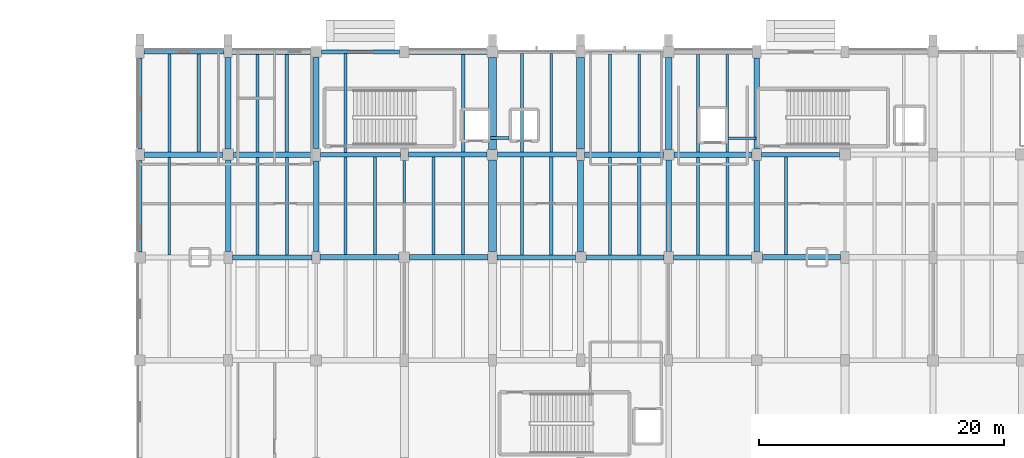
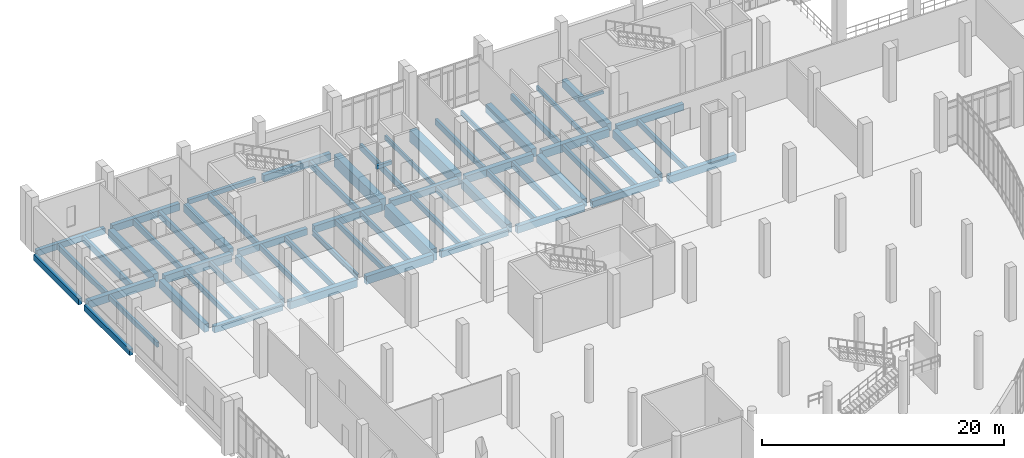
# One storey, part 42 of 110: 62 beams.
"""IFC4 building model written with IfcOpenShell, lengths in metres."""

from ifc_helpers import new_model, si_unit, direction, frame, origin, origin_2d, place, context, subcontext, project, spatial, rectangle, i_section, extrude, material, material_profile, profile_set, type_object, element, save


model = new_model("IFC4")

# Units and contexts
model_context = context("Model", 3, precision=1e-05, world=origin(), true_north=direction((0.0, 1.0)))
body_context = subcontext(model_context, "Body", "Model", "MODEL_VIEW")
ifc_project = project(units=[si_unit("LENGTHUNIT", "METRE"), si_unit("AREAUNIT", "SQUARE_METRE"), si_unit("VOLUMEUNIT", "CUBIC_METRE"), si_unit("PLANEANGLEUNIT", "RADIAN"), si_unit("MASSUNIT", "GRAM", prefix="KILO")], contexts=[model_context])

# Site, building, storey
site_placement = place(None, origin())
site = spatial("IfcSite", under=ifc_project, at=site_placement, CompositionType="ELEMENT")
building_placement = place(site_placement, origin())
building = spatial("IfcBuilding", under=site, at=building_placement, Name="Kalluvel Institute of Natural Sciences", CompositionType="ELEMENT")
storey_placement = place(building_placement, origin())
storey = spatial("IfcBuildingStorey", under=building, at=storey_placement, Name="L00", CompositionType="ELEMENT", Elevation=0.0)

# Beams
ifc_material_1 = material(Name="Steel E350 Grade 350", Category="steel")
ifc_material_profile_1 = material_profile(ifc_material_1, i_section(OverallWidth=0.18994140625, OverallDepth=0.550048828125, WebThickness=0.01123046875, FlangeThickness=0.019287109375, FilletRadius=0.01806640625, at=origin_2d()), Name="ISMB 550")
ifc_profile_set_1 = profile_set([ifc_material_profile_1], Name="Steel E350 Grade 350")
beam_type_1 = type_object("IfcBeamType", Name="BM-ISMB550", PredefinedType="BEAM", material=ifc_profile_set_1)
beam_1_placement = place(storey_placement, frame((35.60009765625, 111.625, -0.594970703125), z_axis=(0.0, 1.0, 0.0), x_axis=(-1.0, 0.0, 0.0)))
element("IfcBeam", 1, at=beam_1_placement, inside=storey, type_object=beam_type_1, Name="L00 girder GIR-L00-NS-X356-Y1112", PredefinedType="BEAM", context=body_context, shape_type="SweptSolid", body=[
    extrude(i_section(OverallWidth=0.18994140625, OverallDepth=0.550048828125, WebThickness=0.01123046875, FlangeThickness=0.019287109375, FilletRadius=0.01806640625, at=origin_2d()), origin(), (0.0, 0.0, 1.0), 7.5),
])
ifc_material_2 = material(Name="Concrete M40", Category="concrete")
ifc_material_profile_2 = material_profile(ifc_material_2, rectangle(XDim=0.3798828125, YDim=0.639892578125, at=origin_2d()), Name="RCB 380x640")
ifc_profile_set_2 = profile_set([ifc_material_profile_2], Name="Concrete M40")
beam_type_2 = type_object("IfcBeamType", Name="BM-RC380x640", PredefinedType="BEAM", material=ifc_profile_set_2)
beam_2_placement = place(storey_placement, frame((43.175048828125, 111.199951171875, -0.639892578125), z_axis=(1.0, 0.0, 0.0), x_axis=(0.0, 1.0, 0.0)))
element("IfcBeam", 2, at=beam_2_placement, inside=storey, type_object=beam_type_2, Name="L00 girder GIR-L00-EW-X428-Y1112", PredefinedType="BEAM", context=body_context, shape_type="SweptSolid", body=[
    extrude(rectangle(XDim=0.3798828125, YDim=0.639892578125, at=origin_2d()), origin(), (0.0, 0.0, 1.0), 6.39990234375),
])
beam_3_placement = place(storey_placement, frame((28.75, 119.60009765625, -0.639892578125), z_axis=(1.0, 0.0, 0.0), x_axis=(0.0, 1.0, 0.0)))
element("IfcBeam", 3, at=beam_3_placement, inside=storey, type_object=beam_type_2, Name="L00 girder GIR-L00-EW-X284-Y1196", PredefinedType="BEAM", context=body_context, shape_type="SweptSolid", body=[
    extrude(rectangle(XDim=0.3798828125, YDim=0.639892578125, at=origin_2d()), origin(), (0.0, 0.0, 1.0), 6.52490234375),
])
beam_4_placement = place(storey_placement, frame((64.77490234375, 119.60009765625, -0.639892578125), z_axis=(1.0, 0.0, 0.0), x_axis=(0.0, 1.0, 0.0)))
element("IfcBeam", 4, at=beam_4_placement, inside=storey, type_object=beam_type_2, Name="L00 girder GIR-L00-EW-X644-Y1196", PredefinedType="BEAM", context=body_context, shape_type="SweptSolid", body=[
    extrude(rectangle(XDim=0.3798828125, YDim=0.639892578125, at=origin_2d()), origin(), (0.0, 0.0, 1.0), 6.375),
])
ifc_material_profile_3 = material_profile(ifc_material_2, rectangle(XDim=0.39990234375, YDim=0.64990234375, at=origin_2d()), Name="RCB 400x650")
ifc_profile_set_3 = profile_set([ifc_material_profile_3], Name="Concrete M40")
beam_type_3 = type_object("IfcBeamType", Name="BM-RC400x650", PredefinedType="BEAM", material=ifc_profile_set_3)
beam_5_placement = place(storey_placement, frame((21.550048828125, 111.199951171875, -0.64501953125), z_axis=(1.0, 0.0, 0.0), x_axis=(0.0, 1.0, 0.0)))
element("IfcBeam", 5, at=beam_5_placement, inside=storey, type_object=beam_type_3, Name="L00 girder GIR-L00-EW-X212-Y1112", PredefinedType="BEAM", context=body_context, shape_type="SweptSolid", body=[
    extrude(rectangle(XDim=0.39990234375, YDim=0.64990234375, at=origin_2d()), origin(), (0.0, 0.0, 1.0), 6.52490234375),
])
beam_6_placement = place(storey_placement, frame((57.574951171875, 111.199951171875, -0.64501953125), z_axis=(1.0, 0.0, 0.0), x_axis=(0.0, 1.0, 0.0)))
element("IfcBeam", 6, at=beam_6_placement, inside=storey, type_object=beam_type_3, Name="L00 girder GIR-L00-EW-X572-Y1112", PredefinedType="BEAM", context=body_context, shape_type="SweptSolid", body=[
    extrude(rectangle(XDim=0.39990234375, YDim=0.64990234375, at=origin_2d()), origin(), (0.0, 0.0, 1.0), 6.375),
])
beam_7_placement = place(storey_placement, frame((43.22509765625, 119.60009765625, -0.64501953125), z_axis=(1.0, 0.0, 0.0), x_axis=(0.0, 1.0, 0.0)))
element("IfcBeam", 7, at=beam_7_placement, inside=storey, type_object=beam_type_3, Name="L00 girder GIR-L00-EW-X428-Y1196", PredefinedType="BEAM", context=body_context, shape_type="SweptSolid", body=[
    extrude(rectangle(XDim=0.39990234375, YDim=0.64990234375, at=origin_2d()), origin(), (0.0, 0.0, 1.0), 6.449951171875),
])
ifc_material_profile_4 = material_profile(ifc_material_2, rectangle(XDim=0.419921875, YDim=0.719970703125, at=origin_2d()), Name="RCB 420x720")
ifc_profile_set_4 = profile_set([ifc_material_profile_4], Name="Concrete M40")
beam_type_4 = type_object("IfcBeamType", Name="BM-RC420x720", PredefinedType="BEAM", material=ifc_profile_set_4)
beam_8_placement = place(storey_placement, frame((50.425048828125, 111.199951171875, -0.679931640625), z_axis=(1.0, 0.0, 0.0), x_axis=(0.0, 1.0, 0.0)))
element("IfcBeam", 8, at=beam_8_placement, inside=storey, type_object=beam_type_4, Name="L00 girder GIR-L00-EW-X500-Y1112", PredefinedType="BEAM", context=body_context, shape_type="SweptSolid", body=[
    extrude(rectangle(XDim=0.419921875, YDim=0.719970703125, at=origin_2d()), origin(), (0.0, 0.0, 1.0), 6.39990234375),
])
beam_9_placement = place(storey_placement, frame((35.925048828125, 119.60009765625, -0.679931640625), z_axis=(1.0, 0.0, 0.0), x_axis=(0.0, 1.0, 0.0)))
element("IfcBeam", 9, at=beam_9_placement, inside=storey, type_object=beam_type_4, Name="L00 girder GIR-L00-EW-X356-Y1196", PredefinedType="BEAM", context=body_context, shape_type="SweptSolid", body=[
    extrude(rectangle(XDim=0.419921875, YDim=0.719970703125, at=origin_2d()), origin(), (0.0, 0.0, 1.0), 6.449951171875),
])
ifc_material_profile_5 = material_profile(ifc_material_2, rectangle(XDim=0.449951171875, YDim=0.75, at=origin_2d()), Name="RCB 450x750")
ifc_profile_set_5 = profile_set([ifc_material_profile_5], Name="Concrete M40")
beam_type_5 = type_object("IfcBeamType", Name="BM-RC450x750", PredefinedType="BEAM", material=ifc_profile_set_5)
beam_10_placement = place(storey_placement, frame((28.72509765625, 111.199951171875, -0.695068359375), z_axis=(1.0, 0.0, 0.0), x_axis=(0.0, 1.0, 0.0)))
element("IfcBeam", 10, at=beam_10_placement, inside=storey, type_object=beam_type_5, Name="L00 girder GIR-L00-EW-X284-Y1112", PredefinedType="BEAM", context=body_context, shape_type="SweptSolid", body=[
    extrude(rectangle(XDim=0.449951171875, YDim=0.75, at=origin_2d()), origin(), (0.0, 0.0, 1.0), 6.449951171875),
])
beam_11_placement = place(storey_placement, frame((64.85009765625, 111.199951171875, -0.695068359375), z_axis=(1.0, 0.0, 0.0), x_axis=(0.0, 1.0, 0.0)))
element("IfcBeam", 11, at=beam_11_placement, inside=storey, type_object=beam_type_5, Name="L00 girder GIR-L00-EW-X644-Y1112", PredefinedType="BEAM", context=body_context, shape_type="SweptSolid", body=[
    extrude(rectangle(XDim=0.449951171875, YDim=0.75, at=origin_2d()), origin(), (0.0, 0.0, 1.0), 6.39990234375),
])
beam_12_placement = place(storey_placement, frame((14.375, 119.60009765625, -0.695068359375), z_axis=(1.0, 0.0, 0.0), x_axis=(0.0, 1.0, 0.0)))
element("IfcBeam", 12, at=beam_12_placement, inside=storey, type_object=beam_type_5, Name="L00 girder GIR-L00-EW-X140-Y1196", PredefinedType="BEAM", context=body_context, shape_type="SweptSolid", body=[
    extrude(rectangle(XDim=0.449951171875, YDim=0.75, at=origin_2d()), origin(), (0.0, 0.0, 1.0), 6.375),
])
beam_13_placement = place(storey_placement, frame((50.324951171875, 119.60009765625, -0.695068359375), z_axis=(1.0, 0.0, 0.0), x_axis=(0.0, 1.0, 0.0)))
element("IfcBeam", 13, at=beam_13_placement, inside=storey, type_object=beam_type_5, Name="L00 girder GIR-L00-EW-X500-Y1196", PredefinedType="BEAM", context=body_context, shape_type="SweptSolid", body=[
    extrude(rectangle(XDim=0.449951171875, YDim=0.75, at=origin_2d()), origin(), (0.0, 0.0, 1.0), 6.449951171875),
])
ifc_material_profile_6 = material_profile(ifc_material_2, rectangle(XDim=0.449951171875, YDim=0.800048828125, at=origin_2d()), Name="RCB 450x800")
ifc_profile_set_6 = profile_set([ifc_material_profile_6], Name="Concrete M40")
beam_type_6 = type_object("IfcBeamType", Name="BM-RC450x800", PredefinedType="BEAM", material=ifc_profile_set_6)
for number, where, z_axis, x_axis, name in (
    (14, (36.02490234375, 111.199951171875, -0.719970703125), (1.0, 0.0, 0.0), (0.0, 1.0, 0.0), "L00 girder GIR-L00-EW-X356-Y1112"),
    (15, (21.64990234375, 119.60009765625, -0.719970703125), (1.0, 0.0, 0.0), (0.0, 1.0, 0.0), "L00 girder GIR-L00-EW-X212-Y1196"),
):
    element("IfcBeam", number, at=place(storey_placement, frame(where, z_axis=z_axis, x_axis=x_axis)), inside=storey, type_object=beam_type_6, Name=name, PredefinedType="BEAM", context=body_context, shape_type="SweptSolid", body=[
        extrude(rectangle(XDim=0.449951171875, YDim=0.800048828125, at=origin_2d()), origin(), (0.0, 0.0, 1.0), 6.400146484375),
    ])
beam_14_placement = place(storey_placement, frame((57.625, 119.60009765625, -0.719970703125), z_axis=(1.0, 0.0, 0.0), x_axis=(0.0, 1.0, 0.0)))
element("IfcBeam", 16, at=beam_14_placement, inside=storey, type_object=beam_type_6, Name="L00 girder GIR-L00-EW-X572-Y1196", PredefinedType="BEAM", context=body_context, shape_type="SweptSolid", body=[
    extrude(rectangle(XDim=0.449951171875, YDim=0.800048828125, at=origin_2d()), origin(), (0.0, 0.0, 1.0), 6.39990234375),
])
beam_15_placement = place(storey_placement, frame((21.199951171875, 111.699951171875, -0.719970703125), z_axis=(0.0, 1.0, 0.0), x_axis=(-1.0, 0.0, 0.0)))
element("IfcBeam", 17, at=beam_15_placement, inside=storey, type_object=beam_type_6, Name="L00 girder GIR-L00-NS-X212-Y1112", PredefinedType="BEAM", context=body_context, shape_type="SweptSolid", body=[
    extrude(rectangle(XDim=0.449951171875, YDim=0.800048828125, at=origin_2d()), origin(), (0.0, 0.0, 1.0), 7.449951171875),
])
beam_16_placement = place(storey_placement, frame((28.39990234375, 111.675048828125, -0.719970703125), z_axis=(0.0, 1.0, 0.0), x_axis=(-1.0, 0.0, 0.0)))
element("IfcBeam", 18, at=beam_16_placement, inside=storey, type_object=beam_type_6, Name="L00 girder GIR-L00-NS-X284-Y1112", PredefinedType="BEAM", context=body_context, shape_type="SweptSolid", body=[
    extrude(rectangle(XDim=0.449951171875, YDim=0.800048828125, at=origin_2d()), origin(), (0.0, 0.0, 1.0), 7.425048828125),
])
beam_17_placement = place(storey_placement, frame((28.39990234375, 120.10009765625, -0.719970703125), z_axis=(0.0, 1.0, 0.0), x_axis=(-1.0, 0.0, 0.0)))
element("IfcBeam", 19, at=beam_17_placement, inside=storey, type_object=beam_type_6, Name="L00 girder GIR-L00-NS-X284-Y1196", PredefinedType="BEAM", context=body_context, shape_type="SweptSolid", body=[
    extrude(rectangle(XDim=0.449951171875, YDim=0.800048828125, at=origin_2d()), origin(), (0.0, 0.0, 1.0), 7.474853515625),
])
beam_18_placement = place(storey_placement, frame((57.199951171875, 111.675048828125, -0.719970703125), z_axis=(0.0, 1.0, 0.0), x_axis=(-1.0, 0.0, 0.0)))
element("IfcBeam", 20, at=beam_18_placement, inside=storey, type_object=beam_type_6, Name="L00 girder GIR-L00-NS-X572-Y1112", PredefinedType="BEAM", context=body_context, shape_type="SweptSolid", body=[
    extrude(rectangle(XDim=0.449951171875, YDim=0.800048828125, at=origin_2d()), origin(), (0.0, 0.0, 1.0), 7.5),
])
beam_19_placement = place(storey_placement, frame((64.39990234375, 111.64990234375, -0.719970703125), z_axis=(0.0, 1.0, 0.0), x_axis=(-1.0, 0.0, 0.0)))
element("IfcBeam", 21, at=beam_19_placement, inside=storey, type_object=beam_type_6, Name="L00 girder GIR-L00-NS-X644-Y1112", PredefinedType="BEAM", context=body_context, shape_type="SweptSolid", body=[
    extrude(rectangle(XDim=0.449951171875, YDim=0.800048828125, at=origin_2d()), origin(), (0.0, 0.0, 1.0), 7.47509765625),
])
beam_20_placement = place(storey_placement, frame((64.39990234375, 120.074951171875, -0.719970703125), z_axis=(0.0, 1.0, 0.0), x_axis=(-1.0, 0.0, 0.0)))
element("IfcBeam", 22, at=beam_20_placement, inside=storey, type_object=beam_type_6, Name="L00 girder GIR-L00-NS-X644-Y1196", PredefinedType="BEAM", context=body_context, shape_type="SweptSolid", body=[
    extrude(rectangle(XDim=0.449951171875, YDim=0.800048828125, at=origin_2d()), origin(), (0.0, 0.0, 1.0), 7.425048828125),
])
ifc_material_3 = material(Name="Concrete M50", Category="concrete")
ifc_material_profile_7 = material_profile(ifc_material_3, rectangle(XDim=0.5, YDim=0.85009765625, at=origin_2d()), Name="RCB 500x850")
ifc_profile_set_7 = profile_set([ifc_material_profile_7], Name="Concrete M50")
beam_type_7 = type_object("IfcBeamType", Name="BM-RC500x850", PredefinedType="BEAM", material=ifc_profile_set_7)
beam_21_placement = place(storey_placement, frame((21.199951171875, 120.050048828125, -0.7451171875), z_axis=(0.0, 1.0, 0.0), x_axis=(-1.0, 0.0, 0.0)))
element("IfcBeam", 23, at=beam_21_placement, inside=storey, type_object=beam_type_7, Name="L00 girder GIR-L00-NS-X212-Y1196", PredefinedType="BEAM", context=body_context, shape_type="SweptSolid", body=[
    extrude(rectangle(XDim=0.5, YDim=0.85009765625, at=origin_2d()), origin(), (0.0, 0.0, 1.0), 7.474853515625),
])
beam_22_placement = place(storey_placement, frame((50.0, 111.625, -0.7451171875), z_axis=(0.0, 1.0, 0.0), x_axis=(-1.0, 0.0, 0.0)))
element("IfcBeam", 24, at=beam_22_placement, inside=storey, type_object=beam_type_7, Name="L00 girder GIR-L00-NS-X500-Y1112", PredefinedType="BEAM", context=body_context, shape_type="SweptSolid", body=[
    extrude(rectangle(XDim=0.5, YDim=0.85009765625, at=origin_2d()), origin(), (0.0, 0.0, 1.0), 7.5),
])
beam_23_placement = place(storey_placement, frame((57.199951171875, 120.02490234375, -0.7451171875), z_axis=(0.0, 1.0, 0.0), x_axis=(-1.0, 0.0, 0.0)))
element("IfcBeam", 25, at=beam_23_placement, inside=storey, type_object=beam_type_7, Name="L00 girder GIR-L00-NS-X572-Y1196", PredefinedType="BEAM", context=body_context, shape_type="SweptSolid", body=[
    extrude(rectangle(XDim=0.5, YDim=0.85009765625, at=origin_2d()), origin(), (0.0, 0.0, 1.0), 7.525146484375),
])
ifc_material_profile_8 = material_profile(ifc_material_3, rectangle(XDim=0.64990234375, YDim=1.199951171875, at=origin_2d()), Name="RCB 650x1200")
ifc_profile_set_8 = profile_set([ifc_material_profile_8], Name="Concrete M50")
beam_type_8 = type_object("IfcBeamType", Name="BM-RC650x1200", PredefinedType="BEAM", material=ifc_profile_set_8)
beam_24_placement = place(storey_placement, frame((42.800048828125, 111.675048828125, -0.919921875), z_axis=(0.0, 1.0, 0.0), x_axis=(-1.0, 0.0, 0.0)))
element("IfcBeam", 26, at=beam_24_placement, inside=storey, type_object=beam_type_8, Name="L00 girder GIR-L00-NS-X428-Y1112", PredefinedType="BEAM", context=body_context, shape_type="SweptSolid", body=[
    extrude(rectangle(XDim=0.64990234375, YDim=1.199951171875, at=origin_2d()), origin(), (0.0, 0.0, 1.0), 7.5),
])
beam_25_placement = place(storey_placement, frame((42.800048828125, 120.02490234375, -0.919921875), z_axis=(0.0, 1.0, 0.0), x_axis=(-1.0, 0.0, 0.0)))
element("IfcBeam", 27, at=beam_25_placement, inside=storey, type_object=beam_type_8, Name="L00 girder GIR-L00-NS-X428-Y1196", PredefinedType="BEAM", context=body_context, shape_type="SweptSolid", body=[
    extrude(rectangle(XDim=0.64990234375, YDim=1.199951171875, at=origin_2d()), origin(), (0.0, 0.0, 1.0), 7.525146484375),
])
beam_26_placement = place(storey_placement, frame((50.0, 120.074951171875, -0.919921875), z_axis=(0.0, 1.0, 0.0), x_axis=(-1.0, 0.0, 0.0)))
element("IfcBeam", 28, at=beam_26_placement, inside=storey, type_object=beam_type_8, Name="L00 girder GIR-L00-NS-X500-Y1196", PredefinedType="BEAM", context=body_context, shape_type="SweptSolid", body=[
    extrude(rectangle(XDim=0.64990234375, YDim=1.199951171875, at=origin_2d()), origin(), (0.0, 0.0, 1.0), 7.449951171875),
])
ifc_material_4 = material(Name="Sadarahalli Granite Precast Concrete M45", Category="masonry")
ifc_material_profile_9 = material_profile(ifc_material_4, rectangle(XDim=0.199951171875, YDim=0.300048828125, at=origin_2d()), Name="LIN 200x300")
ifc_profile_set_9 = profile_set([ifc_material_profile_9], Name="Sadarahalli Granite Precast Concrete M45")
beam_type_9 = type_object("IfcBeamType", Name="LN-200x300-INT", PredefinedType="LINTEL", material=ifc_profile_set_9)
beam_27_placement = place(storey_placement, frame((62.0400390625, 120.949951171875, 2.35009765625), z_axis=(1.0, 0.0, 0.0), x_axis=(0.0, 1.0, 0.0)))
element("IfcBeam", 29, at=beam_27_placement, inside=storey, type_object=beam_type_9, Name="L00 core coupling lintel B", PredefinedType="LINTEL", context=body_context, shape_type="SweptSolid", body=[
    extrude(rectangle(XDim=0.199951171875, YDim=0.300048828125, at=origin_2d()), origin(), (0.0, 0.0, 1.0), 2.2900390625),
])
ifc_material_profile_10 = material_profile(ifc_material_4, rectangle(XDim=0.25, YDim=0.35009765625, at=origin_2d()), Name="LIN 250x350")
ifc_profile_set_10 = profile_set([ifc_material_profile_10], Name="Sadarahalli Granite Precast Concrete M45")
beam_type_10 = type_object("IfcBeamType", Name="LN-250x350-EXT", PredefinedType="LINTEL", material=ifc_profile_set_10)
beam_28_placement = place(storey_placement, frame((42.639892578125, 120.949951171875, 2.35009765625), z_axis=(1.0, 0.0, 0.0), x_axis=(0.0, 1.0, 0.0)))
element("IfcBeam", 30, at=beam_28_placement, inside=storey, type_object=beam_type_10, Name="L00 lift-core coupling lintel A", PredefinedType="LINTEL", context=body_context, shape_type="SweptSolid", body=[
    extrude(rectangle(XDim=0.25, YDim=0.35009765625, at=origin_2d()), origin(), (0.0, 0.0, 1.0), 1.52001953125),
])
ifc_material_profile_11 = material_profile(ifc_material_2, rectangle(XDim=0.300048828125, YDim=0.449951171875, at=origin_2d()), Name="RCB 300x450")
ifc_profile_set_11 = profile_set([ifc_material_profile_11], Name="Concrete M40")
beam_type_11 = type_object("IfcBeamType", Name="SP-RC300x450", PredefinedType="SPANDREL", material=ifc_profile_set_11)
beam_29_placement = place(storey_placement, frame((28.824951171875, 128.0, -0.544921875), z_axis=(1.0, 0.0, 0.0), x_axis=(0.0, 1.0, 0.0)))
element("IfcBeam", 31, at=beam_29_placement, inside=storey, type_object=beam_type_11, Name="L00 girder GIR-L00-EW-X284-Y1280", PredefinedType="SPANDREL", context=body_context, shape_type="SweptSolid", body=[
    extrude(rectangle(XDim=0.300048828125, YDim=0.449951171875, at=origin_2d()), origin(), (0.0, 0.0, 1.0), 6.400146484375),
])
ifc_material_profile_12 = material_profile(ifc_material_2, rectangle(XDim=0.35009765625, YDim=0.60009765625, at=origin_2d()), Name="RCB 350x600")
ifc_profile_set_12 = profile_set([ifc_material_profile_12], Name="Concrete M40")
beam_type_12 = type_object("IfcBeamType", Name="SP-RC350x600", PredefinedType="SPANDREL", material=ifc_profile_set_12)
beam_30_placement = place(storey_placement, frame((14.35009765625, 128.0, -0.6201171875), z_axis=(1.0, 0.0, 0.0), x_axis=(0.0, 1.0, 0.0)))
element("IfcBeam", 32, at=beam_30_placement, inside=storey, type_object=beam_type_12, Name="L00 girder GIR-L00-EW-X140-Y1280", PredefinedType="SPANDREL", context=body_context, shape_type="SweptSolid", body=[
    extrude(rectangle(XDim=0.35009765625, YDim=0.60009765625, at=origin_2d()), origin(), (0.0, 0.0, 1.0), 6.52490234375),
])
beam_31_placement = place(storey_placement, frame((14.0, 111.64990234375, -0.6201171875), z_axis=(0.0, 1.0, 0.0), x_axis=(-1.0, 0.0, 0.0)))
element("IfcBeam", 33, at=beam_31_placement, inside=storey, type_object=beam_type_12, Name="L00 girder GIR-L00-NS-X140-Y1112", PredefinedType="SPANDREL", context=body_context, shape_type="SweptSolid", body=[
    extrude(rectangle(XDim=0.35009765625, YDim=0.60009765625, at=origin_2d()), origin(), (0.0, 0.0, 1.0), 7.47509765625),
])
beam_32_placement = place(storey_placement, frame((14.0, 120.074951171875, -0.6201171875), z_axis=(0.0, 1.0, 0.0), x_axis=(-1.0, 0.0, 0.0)))
element("IfcBeam", 34, at=beam_32_placement, inside=storey, type_object=beam_type_12, Name="L00 girder GIR-L00-NS-X140-Y1196", PredefinedType="SPANDREL", context=body_context, shape_type="SweptSolid", body=[
    extrude(rectangle(XDim=0.35009765625, YDim=0.60009765625, at=origin_2d()), origin(), (0.0, 0.0, 1.0), 7.425048828125),
])
ifc_material_profile_13 = material_profile(ifc_material_2, rectangle(XDim=0.39990234375, YDim=0.699951171875, at=origin_2d()), Name="RCB 400x700")
ifc_profile_set_13 = profile_set([ifc_material_profile_13], Name="Concrete M40")
beam_type_13 = type_object("IfcBeamType", Name="SP-RC400x700", PredefinedType="SPANDREL", material=ifc_profile_set_13)
beam_33_placement = place(storey_placement, frame((21.52490234375, 128.0, -0.669921875), z_axis=(1.0, 0.0, 0.0), x_axis=(0.0, 1.0, 0.0)))
element("IfcBeam", 35, at=beam_33_placement, inside=storey, type_object=beam_type_13, Name="L00 girder GIR-L00-EW-X212-Y1280", PredefinedType="SPANDREL", context=body_context, shape_type="SweptSolid", body=[
    extrude(rectangle(XDim=0.39990234375, YDim=0.699951171875, at=origin_2d()), origin(), (0.0, 0.0, 1.0), 6.4501953125),
])
beam_34_placement = place(storey_placement, frame((35.97509765625, 128.0, -0.669921875), z_axis=(1.0, 0.0, 0.0), x_axis=(0.0, 1.0, 0.0)))
element("IfcBeam", 36, at=beam_34_placement, inside=storey, type_object=beam_type_13, Name="L00 girder GIR-L00-EW-X356-Y1280", PredefinedType="SPANDREL", context=body_context, shape_type="SweptSolid", body=[
    extrude(rectangle(XDim=0.39990234375, YDim=0.699951171875, at=origin_2d()), origin(), (0.0, 0.0, 1.0), 6.375),
])
ifc_material_profile_14 = material_profile(ifc_material_2, rectangle(XDim=0.199951171875, YDim=0.4599609375, at=origin_2d()), Name="WAF 200x460")
ifc_profile_set_14 = profile_set([ifc_material_profile_14], Name="Concrete M40")
beam_type_14 = type_object("IfcBeamType", Name="WJ-200x460", PredefinedType="JOIST", material=ifc_profile_set_14)
beam_35_placement = place(storey_placement, frame((47.60009765625, 119.800048828125, -0.550048828125), z_axis=(0.0, 1.0, 0.0), x_axis=(-1.0, 0.0, 0.0)))
element("IfcBeam", 37, at=beam_35_placement, inside=storey, type_object=beam_type_14, Name="L00 waffle joist RIB-L00-0026", PredefinedType="JOIST", context=body_context, shape_type="SweptSolid", body=[
    extrude(rectangle(XDim=0.199951171875, YDim=0.4599609375, at=origin_2d()), origin(), (0.0, 0.0, 1.0), 8.050048828125),
])
beam_36_placement = place(storey_placement, frame((54.800048828125, 119.824951171875, -0.550048828125), z_axis=(0.0, 1.0, 0.0), x_axis=(-1.0, 0.0, 0.0)))
element("IfcBeam", 38, at=beam_36_placement, inside=storey, type_object=beam_type_14, Name="L00 waffle joist RIB-L00-0032", PredefinedType="JOIST", context=body_context, shape_type="SweptSolid", body=[
    extrude(rectangle(XDim=0.199951171875, YDim=0.4599609375, at=origin_2d()), origin(), (0.0, 0.0, 1.0), 8.0),
])
beam_37_placement = place(storey_placement, frame((62.0, 119.824951171875, -0.550048828125), z_axis=(0.0, 1.0, 0.0), x_axis=(-1.0, 0.0, 0.0)))
element("IfcBeam", 39, at=beam_37_placement, inside=storey, type_object=beam_type_14, Name="L00 waffle joist RIB-L00-0038", PredefinedType="JOIST", context=body_context, shape_type="SweptSolid", body=[
    extrude(rectangle(XDim=0.199951171875, YDim=0.4599609375, at=origin_2d()), origin(), (0.0, 0.0, 1.0), 7.97509765625),
])
ifc_material_profile_15 = material_profile(ifc_material_2, rectangle(XDim=0.219970703125, YDim=0.5, at=origin_2d()), Name="WAF 220x500")
ifc_profile_set_15 = profile_set([ifc_material_profile_15], Name="Concrete M40")
beam_type_15 = type_object("IfcBeamType", Name="WJ-220x500", PredefinedType="JOIST", material=ifc_profile_set_15)
beam_38_placement = place(storey_placement, frame((16.39990234375, 111.409912109375, -0.570068359375), z_axis=(0.0, 1.0, 0.0), x_axis=(-1.0, 0.0, 0.0)))
element("IfcBeam", 40, at=beam_38_placement, inside=storey, type_object=beam_type_15, Name="L00 waffle joist RIB-L00-0002", PredefinedType="JOIST", context=body_context, shape_type="SweptSolid", body=[
    extrude(rectangle(XDim=0.219970703125, YDim=0.5, at=origin_2d()), origin(), (0.0, 0.0, 1.0), 7.965087890625),
])
ifc_material_profile_16 = material_profile(ifc_material_2, rectangle(XDim=0.239990234375, YDim=0.52001953125, at=origin_2d()), Name="WAF 240x520")
ifc_profile_set_16 = profile_set([ifc_material_profile_16], Name="Concrete M40")
beam_type_16 = type_object("IfcBeamType", Name="WJ-240x520", PredefinedType="JOIST", material=ifc_profile_set_16)
beam_39_placement = place(storey_placement, frame((23.60009765625, 111.39990234375, -0.580078125), z_axis=(0.0, 1.0, 0.0), x_axis=(-1.0, 0.0, 0.0)))
element("IfcBeam", 41, at=beam_39_placement, inside=storey, type_object=beam_type_16, Name="L00 waffle joist RIB-L00-0007", PredefinedType="JOIST", context=body_context, shape_type="SweptSolid", body=[
    extrude(rectangle(XDim=0.239990234375, YDim=0.52001953125, at=origin_2d()), origin(), (0.0, 0.0, 1.0), 7.97509765625),
])
beam_40_placement = place(storey_placement, frame((30.800048828125, 111.425048828125, -0.580078125), z_axis=(0.0, 1.0, 0.0), x_axis=(-1.0, 0.0, 0.0)))
element("IfcBeam", 42, at=beam_40_placement, inside=storey, type_object=beam_type_16, Name="L00 waffle joist RIB-L00-0013", PredefinedType="JOIST", context=body_context, shape_type="SweptSolid", body=[
    extrude(rectangle(XDim=0.239990234375, YDim=0.52001953125, at=origin_2d()), origin(), (0.0, 0.0, 1.0), 7.98486328125),
])
beam_41_placement = place(storey_placement, frame((38.0, 111.425048828125, -0.580078125), z_axis=(0.0, 1.0, 0.0), x_axis=(-1.0, 0.0, 0.0)))
element("IfcBeam", 43, at=beam_41_placement, inside=storey, type_object=beam_type_16, Name="L00 waffle joist RIB-L00-0018", PredefinedType="JOIST", context=body_context, shape_type="SweptSolid", body=[
    extrude(rectangle(XDim=0.239990234375, YDim=0.52001953125, at=origin_2d()), origin(), (0.0, 0.0, 1.0), 7.96484375),
])
beam_42_placement = place(storey_placement, frame((45.199951171875, 111.389892578125, -0.580078125), z_axis=(0.0, 1.0, 0.0), x_axis=(-1.0, 0.0, 0.0)))
element("IfcBeam", 44, at=beam_42_placement, inside=storey, type_object=beam_type_16, Name="L00 waffle joist RIB-L00-0023", PredefinedType="JOIST", context=body_context, shape_type="SweptSolid", body=[
    extrude(rectangle(XDim=0.239990234375, YDim=0.52001953125, at=origin_2d()), origin(), (0.0, 0.0, 1.0), 8.010009765625),
])
beam_43_placement = place(storey_placement, frame((52.39990234375, 111.409912109375, -0.580078125), z_axis=(0.0, 1.0, 0.0), x_axis=(-1.0, 0.0, 0.0)))
element("IfcBeam", 45, at=beam_43_placement, inside=storey, type_object=beam_type_16, Name="L00 waffle joist RIB-L00-0029", PredefinedType="JOIST", context=body_context, shape_type="SweptSolid", body=[
    extrude(rectangle(XDim=0.239990234375, YDim=0.52001953125, at=origin_2d()), origin(), (0.0, 0.0, 1.0), 7.965087890625),
])
ifc_material_profile_17 = material_profile(ifc_material_2, rectangle(XDim=0.25, YDim=0.550048828125, at=origin_2d()), Name="WAF 250x550")
ifc_profile_set_17 = profile_set([ifc_material_profile_17], Name="Concrete M40")
beam_type_17 = type_object("IfcBeamType", Name="WJ-250x550", PredefinedType="JOIST", material=ifc_profile_set_17)
beam_44_placement = place(storey_placement, frame((16.39990234375, 119.824951171875, -0.594970703125), z_axis=(0.0, 1.0, 0.0), x_axis=(-1.0, 0.0, 0.0)))
element("IfcBeam", 46, at=beam_44_placement, inside=storey, type_object=beam_type_17, Name="L00 waffle joist RIB-L00-0003", PredefinedType="JOIST", context=body_context, shape_type="SweptSolid", body=[
    extrude(rectangle(XDim=0.25, YDim=0.550048828125, at=origin_2d()), origin(), (0.0, 0.0, 1.0), 8.0),
])
beam_45_placement = place(storey_placement, frame((59.60009765625, 111.39990234375, -0.594970703125), z_axis=(0.0, 1.0, 0.0), x_axis=(-1.0, 0.0, 0.0)))
element("IfcBeam", 47, at=beam_45_placement, inside=storey, type_object=beam_type_17, Name="L00 waffle joist RIB-L00-0035", PredefinedType="JOIST", context=body_context, shape_type="SweptSolid", body=[
    extrude(rectangle(XDim=0.25, YDim=0.550048828125, at=origin_2d()), origin(), (0.0, 0.0, 1.0), 7.97509765625),
])
beam_46_placement = place(storey_placement, frame((66.800048828125, 111.425048828125, -0.594970703125), z_axis=(0.0, 1.0, 0.0), x_axis=(-1.0, 0.0, 0.0)))
element("IfcBeam", 48, at=beam_46_placement, inside=storey, type_object=beam_type_17, Name="L00 waffle joist RIB-L00-0040", PredefinedType="JOIST", context=body_context, shape_type="SweptSolid", body=[
    extrude(rectangle(XDim=0.25, YDim=0.550048828125, at=origin_2d()), origin(), (0.0, 0.0, 1.0), 7.98486328125),
])
ifc_material_profile_18 = material_profile(ifc_material_2, rectangle(XDim=0.25, YDim=0.60009765625, at=origin_2d()), Name="WAF 250x600")
ifc_profile_set_18 = profile_set([ifc_material_profile_18], Name="Concrete M40")
beam_type_18 = type_object("IfcBeamType", Name="WJ-250x600", PredefinedType="JOIST", material=ifc_profile_set_18)
for number, where, z_axis, x_axis, name in (
    (49, (26.0, 111.39990234375, -0.6201171875), (0.0, 1.0, 0.0), (-1.0, 0.0, 0.0), "L00 waffle joist RIB-L00-0008"),
    (50, (23.60009765625, 119.824951171875, -0.6201171875), (0.0, 1.0, 0.0), (-1.0, 0.0, 0.0), "L00 waffle joist RIB-L00-0009"),
):
    element("IfcBeam", number, at=place(storey_placement, frame(where, z_axis=z_axis, x_axis=x_axis)), inside=storey, type_object=beam_type_18, Name=name, PredefinedType="JOIST", context=body_context, shape_type="SweptSolid", body=[
        extrude(rectangle(XDim=0.25, YDim=0.60009765625, at=origin_2d()), origin(), (0.0, 0.0, 1.0), 7.97509765625),
    ])
beam_47_placement = place(storey_placement, frame((33.199951171875, 111.425048828125, -0.6201171875), z_axis=(0.0, 1.0, 0.0), x_axis=(-1.0, 0.0, 0.0)))
element("IfcBeam", 51, at=beam_47_placement, inside=storey, type_object=beam_type_18, Name="L00 waffle joist RIB-L00-0014", PredefinedType="JOIST", context=body_context, shape_type="SweptSolid", body=[
    extrude(rectangle(XDim=0.25, YDim=0.60009765625, at=origin_2d()), origin(), (0.0, 0.0, 1.0), 7.98486328125),
])
beam_48_placement = place(storey_placement, frame((30.800048828125, 119.7900390625, -0.6201171875), z_axis=(0.0, 1.0, 0.0), x_axis=(-1.0, 0.0, 0.0)))
element("IfcBeam", 52, at=beam_48_placement, inside=storey, type_object=beam_type_18, Name="L00 waffle joist RIB-L00-0015", PredefinedType="JOIST", context=body_context, shape_type="SweptSolid", body=[
    extrude(rectangle(XDim=0.25, YDim=0.60009765625, at=origin_2d()), origin(), (0.0, 0.0, 1.0), 8.06005859375),
])
beam_49_placement = place(storey_placement, frame((40.39990234375, 111.425048828125, -0.6201171875), z_axis=(0.0, 1.0, 0.0), x_axis=(-1.0, 0.0, 0.0)))
element("IfcBeam", 53, at=beam_49_placement, inside=storey, type_object=beam_type_18, Name="L00 waffle joist RIB-L00-0019", PredefinedType="JOIST", context=body_context, shape_type="SweptSolid", body=[
    extrude(rectangle(XDim=0.25, YDim=0.60009765625, at=origin_2d()), origin(), (0.0, 0.0, 1.0), 7.96484375),
])
beam_50_placement = place(storey_placement, frame((45.199951171875, 119.800048828125, -0.6201171875), z_axis=(0.0, 1.0, 0.0), x_axis=(-1.0, 0.0, 0.0)))
element("IfcBeam", 54, at=beam_50_placement, inside=storey, type_object=beam_type_18, Name="L00 waffle joist RIB-L00-0025", PredefinedType="JOIST", context=body_context, shape_type="SweptSolid", body=[
    extrude(rectangle(XDim=0.25, YDim=0.60009765625, at=origin_2d()), origin(), (0.0, 0.0, 1.0), 8.050048828125),
])
beam_51_placement = place(storey_placement, frame((52.39990234375, 119.824951171875, -0.6201171875), z_axis=(0.0, 1.0, 0.0), x_axis=(-1.0, 0.0, 0.0)))
element("IfcBeam", 55, at=beam_51_placement, inside=storey, type_object=beam_type_18, Name="L00 waffle joist RIB-L00-0031", PredefinedType="JOIST", context=body_context, shape_type="SweptSolid", body=[
    extrude(rectangle(XDim=0.25, YDim=0.60009765625, at=origin_2d()), origin(), (0.0, 0.0, 1.0), 8.0),
])
ifc_material_profile_19 = material_profile(ifc_material_3, rectangle(XDim=0.260009765625, YDim=0.6201171875, at=origin_2d()), Name="WAF 260x620")
ifc_profile_set_19 = profile_set([ifc_material_profile_19], Name="Concrete M50")
beam_type_19 = type_object("IfcBeamType", Name="WJ-260x620", PredefinedType="JOIST", material=ifc_profile_set_19)
beam_52_placement = place(storey_placement, frame((47.60009765625, 111.389892578125, -0.6298828125), z_axis=(0.0, 1.0, 0.0), x_axis=(-1.0, 0.0, 0.0)))
element("IfcBeam", 56, at=beam_52_placement, inside=storey, type_object=beam_type_19, Name="L00 waffle joist RIB-L00-0024", PredefinedType="JOIST", context=body_context, shape_type="SweptSolid", body=[
    extrude(rectangle(XDim=0.260009765625, YDim=0.6201171875, at=origin_2d()), origin(), (0.0, 0.0, 1.0), 8.010009765625),
])
beam_53_placement = place(storey_placement, frame((54.800048828125, 111.409912109375, -0.6298828125), z_axis=(0.0, 1.0, 0.0), x_axis=(-1.0, 0.0, 0.0)))
element("IfcBeam", 57, at=beam_53_placement, inside=storey, type_object=beam_type_19, Name="L00 waffle joist RIB-L00-0030", PredefinedType="JOIST", context=body_context, shape_type="SweptSolid", body=[
    extrude(rectangle(XDim=0.260009765625, YDim=0.6201171875, at=origin_2d()), origin(), (0.0, 0.0, 1.0), 7.965087890625),
])
for number, where, z_axis, x_axis, name in (
    (58, (62.0, 111.39990234375, -0.6298828125), (0.0, 1.0, 0.0), (-1.0, 0.0, 0.0), "L00 waffle joist RIB-L00-0036"),
    (59, (59.60009765625, 119.824951171875, -0.6298828125), (0.0, 1.0, 0.0), (-1.0, 0.0, 0.0), "L00 waffle joist RIB-L00-0037"),
):
    element("IfcBeam", number, at=place(storey_placement, frame(where, z_axis=z_axis, x_axis=x_axis)), inside=storey, type_object=beam_type_19, Name=name, PredefinedType="JOIST", context=body_context, shape_type="SweptSolid", body=[
        extrude(rectangle(XDim=0.260009765625, YDim=0.6201171875, at=origin_2d()), origin(), (0.0, 0.0, 1.0), 7.97509765625),
    ])
ifc_material_profile_20 = material_profile(ifc_material_3, rectangle(XDim=0.280029296875, YDim=0.64990234375, at=origin_2d()), Name="WAF 280x650")
ifc_profile_set_20 = profile_set([ifc_material_profile_20], Name="Concrete M50")
beam_type_20 = type_object("IfcBeamType", Name="WJ-280x650", PredefinedType="JOIST", material=ifc_profile_set_20)
beam_54_placement = place(storey_placement, frame((18.800048828125, 119.824951171875, -0.64501953125), z_axis=(0.0, 1.0, 0.0), x_axis=(-1.0, 0.0, 0.0)))
element("IfcBeam", 60, at=beam_54_placement, inside=storey, type_object=beam_type_20, Name="L00 waffle joist RIB-L00-0004", PredefinedType="JOIST", context=body_context, shape_type="SweptSolid", body=[
    extrude(rectangle(XDim=0.280029296875, YDim=0.64990234375, at=origin_2d()), origin(), (0.0, 0.0, 1.0), 8.0),
])
beam_55_placement = place(storey_placement, frame((26.0, 119.824951171875, -0.64501953125), z_axis=(0.0, 1.0, 0.0), x_axis=(-1.0, 0.0, 0.0)))
element("IfcBeam", 61, at=beam_55_placement, inside=storey, type_object=beam_type_20, Name="L00 waffle joist RIB-L00-0010", PredefinedType="JOIST", context=body_context, shape_type="SweptSolid", body=[
    extrude(rectangle(XDim=0.280029296875, YDim=0.64990234375, at=origin_2d()), origin(), (0.0, 0.0, 1.0), 7.97509765625),
])
beam_56_placement = place(storey_placement, frame((40.39990234375, 119.81005859375, -0.64501953125), z_axis=(0.0, 1.0, 0.0), x_axis=(-1.0, 0.0, 0.0)))
element("IfcBeam", 62, at=beam_56_placement, inside=storey, type_object=beam_type_20, Name="L00 waffle joist RIB-L00-0020", PredefinedType="JOIST", context=body_context, shape_type="SweptSolid", body=[
    extrude(rectangle(XDim=0.280029296875, YDim=0.64990234375, at=origin_2d()), origin(), (0.0, 0.0, 1.0), 7.989990234375),
])

save(model, "model.ifc")
